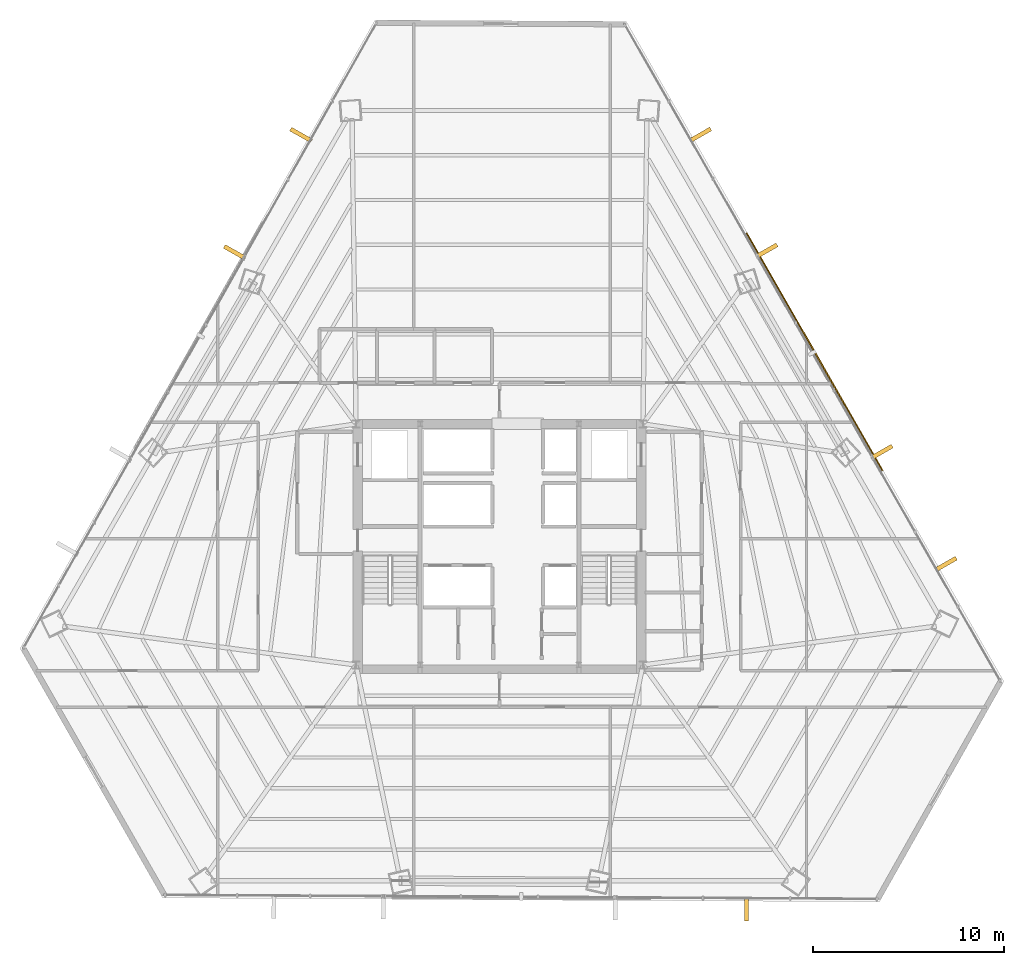
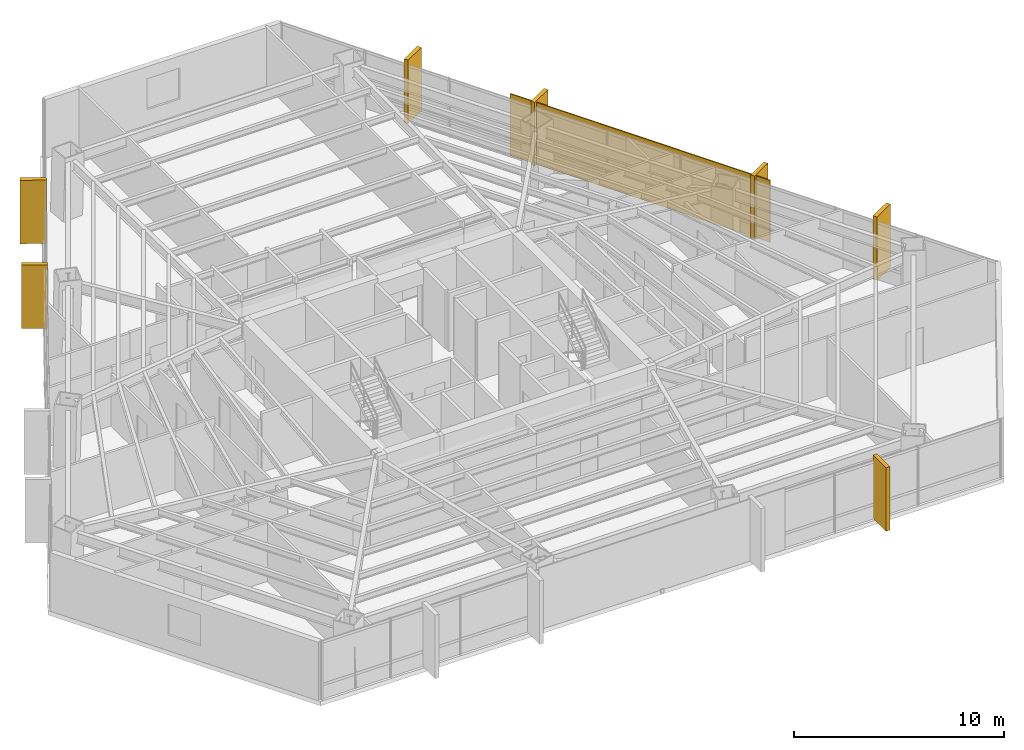
# One storey, part 35 of 35: 7 coverings, 1 shading device.
"""IFC4 building model written with IfcOpenShell, lengths in metres."""

from ifc_helpers import new_model, si_unit, direction, frame, origin, origin_2d, place, context, subcontext, project, spatial, rectangle, extrude, source, transform, mapped, material, layer, layer_set, type_object, type_shapes, element, save


model = new_model("IFC4")

# Units and contexts
model_context = context("Model", 3, precision=1e-05, world=origin(), true_north=direction((0.0, 1.0)))
body_context = subcontext(model_context, "Body", "Model", "MODEL_VIEW")
ifc_project = project(units=[si_unit("LENGTHUNIT", "METRE"), si_unit("AREAUNIT", "SQUARE_METRE"), si_unit("VOLUMEUNIT", "CUBIC_METRE"), si_unit("PLANEANGLEUNIT", "RADIAN"), si_unit("MASSUNIT", "GRAM", prefix="KILO")], contexts=[model_context])

# Site, building, storey
site_placement = place(None, origin())
site = spatial("IfcSite", under=ifc_project, at=site_placement, CompositionType="ELEMENT")
building_placement = place(site_placement, origin())
building = spatial("IfcBuilding", under=site, at=building_placement, Name="Caelisora Broadcast Tower", CompositionType="ELEMENT")
storey_placement = place(building_placement, frame((0.0, 0.0, 90.800048828125)))
storey = spatial("IfcBuildingStorey", under=building, at=storey_placement, Name="L23", CompositionType="ELEMENT", Elevation=90.800048828125)

# Coverings
ifc_material_1 = material(Name="Kiln-Fired Terracotta Spandrel Rainscreen Cladding", Category="ceramic")
ifc_layer_1 = layer(ifc_material_1, 0.044921875, Name="Kiln-Fired Terracotta Spandrel Rainscreen Cladding")
ifc_layer_set_1 = layer_set([ifc_layer_1], Name="Kiln-Fired Terracotta Spandrel Rainscreen Cladding")
covering_type = type_object("IfcCoveringType", Name="CL-1", PredefinedType="CLADDING", material=ifc_layer_set_1)
shared_shape_1 = source(origin(), body_context, "Body", "SweptSolid", [
    extrude(rectangle(XDim=0.219970703125, YDim=1.25, at=origin_2d()), origin(), (0.0, 0.0, 1.0), 3.68994140625),
])
type_shapes(covering_type, [shared_shape_1])
for number, where, z_axis, x_axis, name in (
    (1, (48.50048828125, 45.114501953125, -0.02001953125), (0.0, 0.0, 1.0), (0.496519531995, -0.868025549363, 0.0), "L23 vertical solar fin cladding #1-1"),
    (2, (51.967041015625, 39.054931640625, -0.02001953125), (0.0, 0.0, 1.0), (0.496519531995, -0.868025549363, 0.0), "L23 vertical solar fin cladding #1-2"),
    (3, (57.986328125, 28.532958984375, -0.02001953125), (0.0, 0.0, 1.0), (0.496519531995, -0.868025549363, 0.0), "L23 vertical solar fin cladding #1-3"),
    (4, (61.33740234375, 22.675537109375, -0.02001953125), (0.0, 0.0, 1.0), (0.496519531995, -0.868025549363, 0.0), "L23 vertical solar fin cladding #1-4"),
    (5, (50.914306640625, 4.64208984375, -0.02001953125), (0.0, 0.0, 1.0), (-0.999984403629, 0.005585024571, 0.0), "L23 vertical solar fin cladding #2-1"),
    (6, (24.15966796875, 38.972900390625, -0.02001953125), (0.0, 0.0, 1.0), (0.49181581725, 0.870699260309, 0.0), "L23 vertical solar fin cladding #3-3"),
    (7, (27.62451171875, 45.108154296875, -0.02001953125), (0.0, 0.0, 1.0), (0.49181581725, 0.870699260309, 0.0), "L23 vertical solar fin cladding #3-4"),
):
    element("IfcCovering", number, at=place(storey_placement, frame(where, z_axis=z_axis, x_axis=x_axis)), inside=storey, type_object=covering_type, Name=name, PredefinedType="CLADDING", context=body_context, shape_type="MappedRepresentation", body=[
        mapped(shared_shape_1, transform((0.0, 0.0, 0.0), scale=1.0)),
    ])

# Shading device
ifc_material_2 = material(Name="Perforated Glazed Terracotta Baguette Solar Screen", Category="ceramic")
ifc_layer_2 = layer(ifc_material_2, 0.06494140625, Name="Perforated Glazed Terracotta Baguette Solar Screen")
ifc_layer_set_2 = layer_set([ifc_layer_2], Name="Perforated Glazed Terracotta Baguette Solar Screen")
shading_device_type = type_object("IfcShadingDeviceType", Name="SS-1", PredefinedType="USERDEFINED", material=ifc_layer_set_2)
shared_shape_2 = source(origin(), body_context, "Body", "SweptSolid", [
    extrude(rectangle(XDim=14.31103515625, YDim=0.06494140625, at=origin_2d()), origin(), (0.0, 0.0, 1.0), 3.590087890625),
])
type_shapes(shading_device_type, [shared_shape_2])
shading_device_placement = place(storey_placement, frame((54.47021484375, 33.773193359375, 0.0), z_axis=(0.0, 0.0, 1.0), x_axis=(-0.496519531995, 0.868025549363, 0.0)))
element("IfcShadingDevice", 8, at=shading_device_placement, inside=storey, type_object=shading_device_type, Name="L23 perforated terracotta solar screen #3", ObjectType="SOLAR SCREEN", PredefinedType="USERDEFINED", context=body_context, shape_type="MappedRepresentation", body=[
    mapped(shared_shape_2, transform((0.0, 0.0, 0.0), scale=1.0)),
])

save(model, "model.ifc")
